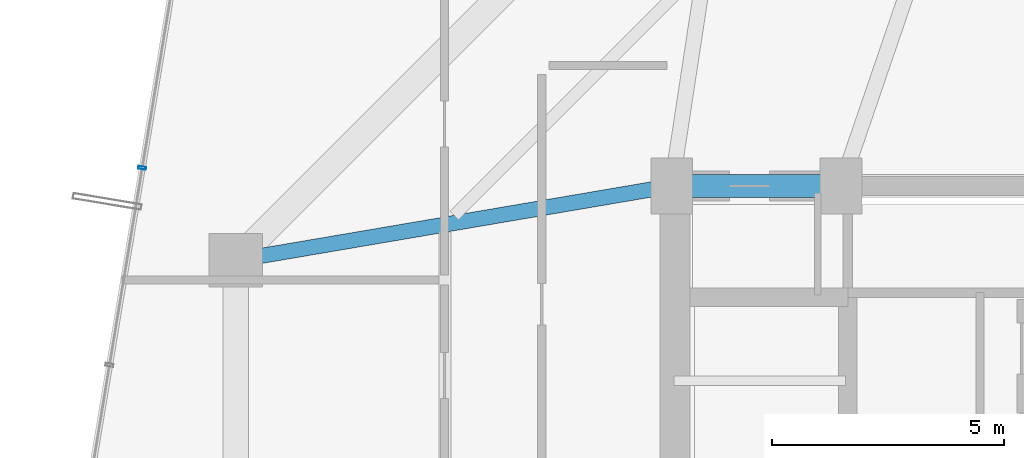
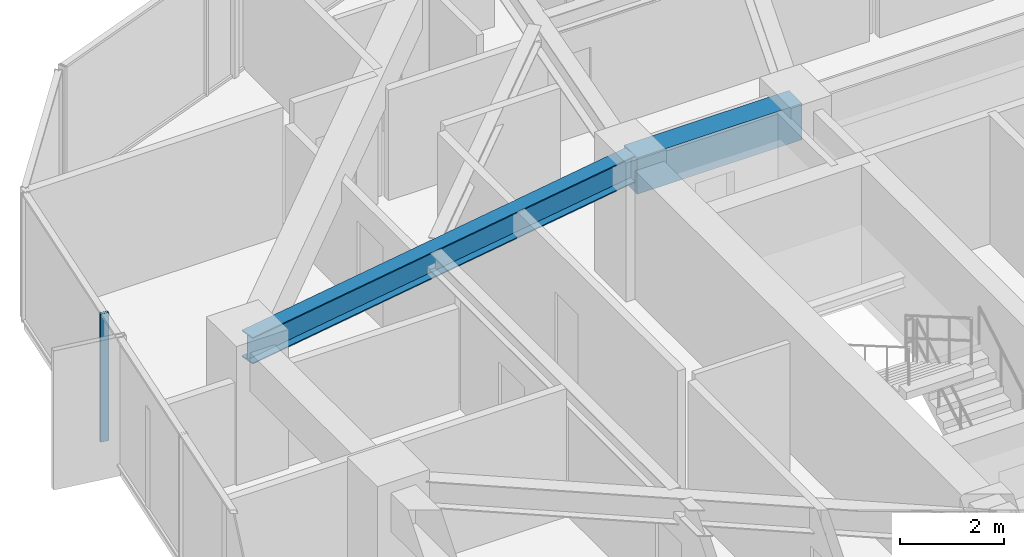
# One storey, part 14 of 30: 2 beams, 1 member, 1 element without a shape of its own.
"""IFC4 building model written with IfcOpenShell, lengths in metres."""

import ifcopenshell
import ifcopenshell.guid

model = None  # the IFC model being written
_history = None  # IfcOwnerHistory: only IFC2X3 demands one
_inside = {}  # id of a spatial element -> (the spatial element, [elements in it])
_under = {}  # id of a project, library or spatial element -> (it, [spatial elements below it])
_declared = {}  # id of a project -> (the project, [libraries it declares])
_typed = {}  # id of a type object -> (the type object, [elements of that type])
_made_of = {}  # id of a material, layer set ... -> (it, [elements and type objects made of it])


def new_model(schema):
    """Start an empty IFC model of exactly this schema.

    Asked for "IFC4X3", IfcOpenShell would pick the latest addendum, in which some entities
    have other attributes; the version numbers below select the first issue.
    IFC2X3 requires an IfcOwnerHistory on every rooted entity: one is made here for all.
    """
    global model, _history
    if schema == "IFC4X3":
        model = ifcopenshell.file(schema_version=(4, 3, 0, 0))
    else:
        model = ifcopenshell.file(schema=schema)
    _inside.clear()
    _under.clear()
    _declared.clear()
    _typed.clear()
    _made_of.clear()
    _history = None
    if model.schema == "IFC2X3":
        org = make("IfcOrganization", Name="unknown")
        user = make(
            "IfcPersonAndOrganization",
            ThePerson=make("IfcPerson", FamilyName="unknown"),
            TheOrganization=org,
        )
        app = make(
            "IfcApplication",
            ApplicationDeveloper=org,
            Version="unknown",
            ApplicationFullName="unknown",
            ApplicationIdentifier="unknown",
        )
        _history = make(
            "IfcOwnerHistory",
            OwningUser=user,
            OwningApplication=app,
            ChangeAction="ADDED",
            CreationDate=0,
        )
    return model


def make(cls, **values):
    """One entity of the class cls with the attributes given. An attribute that is None is left unset."""
    return model.create_entity(
        cls, **{name: value for name, value in values.items() if value is not None}
    )


def rooted(cls, **values):
    """An entity with a GlobalId (a new one), such as an element, a storey or a relation."""
    return make(cls, GlobalId=ifcopenshell.guid.new(), OwnerHistory=_history, **values)


def si_unit(unit_type, name, prefix=None):
    """IfcSIUnit, for example si_unit("LENGTHUNIT", "METRE", prefix="MILLI")."""
    return make("IfcSIUnit", UnitType=unit_type, Prefix=prefix, Name=name)


def assignment(units):
    """IfcUnitAssignment: the units of a project."""
    return None if units is None else make("IfcUnitAssignment", Units=units)


def point(xyz):
    """IfcCartesianPoint."""
    return None if xyz is None else make("IfcCartesianPoint", Coordinates=xyz)


def direction(xyz):
    """IfcDirection."""
    return None if xyz is None else make("IfcDirection", DirectionRatios=xyz)


def frame(location, z_axis=None, x_axis=None):
    """IfcAxis2Placement3D, a coordinate frame: its origin and axes. An axis left out is left unset."""
    return make(
        "IfcAxis2Placement3D",
        Location=point(location),
        Axis=direction(z_axis),
        RefDirection=direction(x_axis),
    )


def frame_2d(location, x_axis=None):
    """IfcAxis2Placement2D, a coordinate frame in the plane: its origin and x axis."""
    return make(
        "IfcAxis2Placement2D", Location=point(location), RefDirection=direction(x_axis)
    )


def origin():
    """The frame at (0, 0, 0) with its axes left unset."""
    return frame((0.0, 0.0, 0.0))


def origin_2d():
    """The frame at (0, 0) in the plane with its x axis left unset."""
    return frame_2d((0.0, 0.0))


def place(relative_to, where):
    """IfcLocalPlacement: puts the frame where relative to a parent placement (None: the world)."""
    return make(
        "IfcLocalPlacement", PlacementRelTo=relative_to, RelativePlacement=where
    )


def context(
    kind, dimensions, precision=None, world=None, true_north=None, identifier=None
):
    """IfcGeometricRepresentationContext, for example the 3D "Model" context."""
    return make(
        "IfcGeometricRepresentationContext",
        ContextIdentifier=identifier,
        ContextType=kind,
        CoordinateSpaceDimension=dimensions,
        Precision=precision,
        WorldCoordinateSystem=world,
        TrueNorth=true_north,
    )


def subcontext(parent, identifier, kind, view, scale=None):
    """IfcGeometricRepresentationSubContext, for example "Body" below "Model"."""
    return make(
        "IfcGeometricRepresentationSubContext",
        ContextIdentifier=identifier,
        ContextType=kind,
        ParentContext=parent,
        TargetScale=scale,
        TargetView=view,
    )


def project(units=None, contexts=None):
    """IfcProject with its units and contexts."""
    return rooted(
        "IfcProject",
        Name="project",
        RepresentationContexts=contexts,
        UnitsInContext=assignment(units),
    )


def spatial(cls, under=None, at=None, **own):
    """A site, building, storey or space (cls), placed at a placement, below another one or the project."""
    s = rooted(cls, ObjectPlacement=at, **own)
    if under is not None:
        _under.setdefault(under.id(), (under, []))[1].append(s)
    return s


def profile(cls, at=None, kind="AREA", **sizes):
    """A parametric profile (cls). Its sizes go by their IFC names, for example OverallWidth=200.0."""
    return make(cls, ProfileType=kind, Position=at, **sizes)


def rectangle(**sizes):
    """IfcRectangleProfileDef."""
    return profile("IfcRectangleProfileDef", **sizes)


def hollow_rectangle(**sizes):
    """IfcRectangleHollowProfileDef."""
    return profile("IfcRectangleHollowProfileDef", **sizes)


def i_section(**sizes):
    """IfcIShapeProfileDef."""
    return profile("IfcIShapeProfileDef", **sizes)


def extrude(swept, where, along, depth):
    """IfcExtrudedAreaSolid: the profile swept, set in the frame where, extruded along a direction by depth."""
    return make(
        "IfcExtrudedAreaSolid",
        SweptArea=swept,
        Position=where,
        ExtrudedDirection=direction(along),
        Depth=depth,
    )


def shape(context_of_items, identifier, shape_type, items):
    """IfcShapeRepresentation: the items that make up one representation, for example the "Body"."""
    return make(
        "IfcShapeRepresentation",
        ContextOfItems=context_of_items,
        RepresentationIdentifier=identifier,
        RepresentationType=shape_type,
        Items=items,
    )


def source(mapping_origin, context_of_items, identifier, shape_type, items):
    """IfcRepresentationMap: a shape defined once, which mapped items show again and again."""
    return make(
        "IfcRepresentationMap",
        MappingOrigin=mapping_origin,
        MappedRepresentation=shape(context_of_items, identifier, shape_type, items),
    )


def transform(
    local_origin,
    x_axis=None,
    y_axis=None,
    z_axis=None,
    scale=None,
    scale2=None,
    scale3=None,
    uniform=True,
):
    """IfcCartesianTransformationOperator3D, or its non-uniform kind. x_axis, y_axis, z_axis: its Axis1, 2, 3."""
    if uniform:
        return make(
            "IfcCartesianTransformationOperator3D",
            Axis1=direction(x_axis),
            Axis2=direction(y_axis),
            LocalOrigin=point(local_origin),
            Scale=scale,
            Axis3=direction(z_axis),
        )
    return make(
        "IfcCartesianTransformationOperator3DnonUniform",
        Axis1=direction(x_axis),
        Axis2=direction(y_axis),
        LocalOrigin=point(local_origin),
        Scale=scale,
        Axis3=direction(z_axis),
        Scale2=scale2,
        Scale3=scale3,
    )


def mapped(mapping_source, mapping_target):
    """IfcMappedItem: shows the shape of a source again, moved by a transform."""
    return make(
        "IfcMappedItem", MappingSource=mapping_source, MappingTarget=mapping_target
    )


def material(Name=None, Category=None):
    """IfcMaterial."""
    return make("IfcMaterial", Name=Name, Category=Category)


def layer(
    of_material, thickness, ventilated=None, Name=None, Category=None, Priority=None
):
    """IfcMaterialLayer: one layer of a wall or slab, of a material (None: an air gap)."""
    return make(
        "IfcMaterialLayer",
        Material=of_material,
        LayerThickness=thickness,
        IsVentilated=ventilated,
        Name=Name,
        Category=Category,
        Priority=Priority,
    )


def layer_set(layers, Name=None):
    """IfcMaterialLayerSet."""
    return make("IfcMaterialLayerSet", MaterialLayers=layers, LayerSetName=Name)


def material_profile(
    of_material, cross_section, Name=None, Category=None, Priority=None
):
    """IfcMaterialProfile: a cross section and its material."""
    return make(
        "IfcMaterialProfile",
        Name=Name,
        Material=of_material,
        Profile=cross_section,
        Priority=Priority,
        Category=Category,
    )


def profile_set(profiles, Name=None, composite=None):
    """IfcMaterialProfileSet."""
    return make(
        "IfcMaterialProfileSet",
        Name=Name,
        MaterialProfiles=profiles,
        CompositeProfile=composite,
    )


def made_of(thing, what):
    """Note that an element or type object is made of a material, layer set ...; save() writes the relation."""
    if what is not None:
        _made_of.setdefault(what.id(), (what, []))[1].append(thing)
    return thing


def type_object(cls, material=None, **own):
    """A type object (cls), such as IfcWallType, which elements share."""
    return made_of(rooted(cls, **own), material)


def element(
    cls,
    number,
    at=None,
    inside=None,
    cuts=None,
    type_object=None,
    material=None,
    context=None,
    identifier="Body",
    shape_type=None,
    held_by="IfcProductDefinitionShape",
    body=None,
    shapes=None,
    **own,
):
    """One element of the class cls, such as IfcWall. Its Tag is "e" and its number.

    at: its placement. inside: the storey or other place that contains it. cuts: it is an
    opening in that element (IfcRelVoidsElement). A single representation is given by context,
    identifier, shape_type and body (its items); several are given by shapes. held_by: the class
    of the entity that holds the representations. save() writes the other relations.
    """
    e = rooted(cls, Tag="e%d" % number, ObjectPlacement=at, **own)
    if body is not None:
        shapes = [shape(context, identifier, shape_type, body)]
    if shapes is not None:
        e.Representation = make(held_by, Representations=shapes)
    if inside is not None:
        _inside.setdefault(inside.id(), (inside, []))[1].append(e)
    if cuts is not None:
        rooted(
            "IfcRelVoidsElement", RelatingBuildingElement=cuts, RelatedOpeningElement=e
        )
    if type_object is not None:
        _typed.setdefault(type_object.id(), (type_object, []))[1].append(e)
    return made_of(e, material)


def aggregate(whole, parts):
    """IfcRelAggregates: a whole, such as a stair, and the parts it consists of."""
    return rooted("IfcRelAggregates", RelatingObject=whole, RelatedObjects=parts)


def save(model, path):
    """Write the relations noted so far, then the file.

    IfcRelAggregates (storeys below a building ...), IfcRelContainedInSpatialStructure (elements
    in a storey), IfcRelDefinesByType, IfcRelAssociatesMaterial and IfcRelDeclares: one each for
    every whole, place, type object, material and project.
    """
    for whole, parts in _under.values():
        aggregate(whole, parts)
    for where, things in _inside.values():
        rooted(
            "IfcRelContainedInSpatialStructure",
            RelatedElements=things,
            RelatingStructure=where,
        )
    for kind, things in _typed.values():
        rooted("IfcRelDefinesByType", RelatedObjects=things, RelatingType=kind)
    for what, things in _made_of.values():
        rooted("IfcRelAssociatesMaterial", RelatedObjects=things, RelatingMaterial=what)
    for by, libraries in _declared.values():
        rooted("IfcRelDeclares", RelatingContext=by, RelatedDefinitions=libraries)
    model.write(path)


model = new_model("IFC4")

# Units and contexts
model_context = context("Model", 3, precision=1e-05, world=origin(), true_north=direction((0.0, 1.0)))
body_context = subcontext(model_context, "Body", "Model", "MODEL_VIEW")
ifc_project = project(units=[si_unit("LENGTHUNIT", "METRE"), si_unit("AREAUNIT", "SQUARE_METRE"), si_unit("VOLUMEUNIT", "CUBIC_METRE"), si_unit("PLANEANGLEUNIT", "RADIAN"), si_unit("MASSUNIT", "GRAM", prefix="KILO")], contexts=[model_context])

# Site, building, storey
site_placement = place(None, origin())
site = spatial("IfcSite", under=ifc_project, at=site_placement, CompositionType="ELEMENT")
building_placement = place(site_placement, origin())
building = spatial("IfcBuilding", under=site, at=building_placement, Name="Veraguas Prism Commons", CompositionType="ELEMENT")
storey_placement = place(building_placement, frame((0.0, 0.0, 95.949951171875)))
storey = spatial("IfcBuildingStorey", under=building, at=storey_placement, Name="L26", CompositionType="ELEMENT", Elevation=95.949951171875)

# Beams
ifc_material_1 = material(Name="Concrete C50/60", Category="concrete")
ifc_material_profile_1 = material_profile(ifc_material_1, rectangle(XDim=0.5, YDim=0.85009765625, at=origin_2d()), Name="RC500X850")
ifc_profile_set_1 = profile_set([ifc_material_profile_1], Name="Concrete C50/60")
beam_type_1 = type_object("IfcBeamType", Name="Core Coupling Beam RC 500x850", PredefinedType="BEAM", material=ifc_profile_set_1)
beam_1_placement = place(storey_placement, frame((17.199951171875, 31.0, 2.574951171875), z_axis=(1.0, 0.0, 0.0), x_axis=(0.0, 1.0, 0.0)))
element("IfcBeam", 1, at=beam_1_placement, inside=storey, type_object=beam_type_1, Name="Core Coupling Beam L26-CRN1", PredefinedType="BEAM", context=body_context, shape_type="SweptSolid", body=[
    extrude(rectangle(XDim=0.5, YDim=0.85009765625, at=origin_2d()), origin(), (0.0, 0.0, 1.0), 3.650146484375),
])
ifc_material_2 = material(Name="Steel ASTM A992 Grade 50", Category="steel")
ifc_material_profile_2 = material_profile(ifc_material_2, i_section(OverallWidth=0.327880859375, OverallDepth=0.6220703125, WebThickness=0.015380859375, FlangeThickness=0.0244140625, at=origin_2d()), Name="W610X195")
ifc_profile_set_2 = profile_set([ifc_material_profile_2], Name="Steel ASTM A992 Grade 50")
beam_type_2 = type_object("IfcBeamType", Name="Zone 2 Radial Girder W610x195", PredefinedType="BEAM", material=ifc_profile_set_2)
beam_2_placement = place(storey_placement, frame((7.800048828125, 29.39990234375, 2.68896484375), z_axis=(0.985819187151, 0.1678109956, 0.0), x_axis=(-0.1678109956, 0.985819187151, 0.0)))
element("IfcBeam", 2, at=beam_2_placement, inside=storey, type_object=beam_type_2, Name="Radial Floor Girder L26-RD07", PredefinedType="BEAM", context=body_context, shape_type="SweptSolid", body=[
    extrude(i_section(OverallWidth=0.327880859375, OverallDepth=0.6220703125, WebThickness=0.015380859375, FlangeThickness=0.0244140625, at=origin_2d()), origin(), (0.0, 0.0, 1.0), 9.53515625),
])

# Curtain wall, member
ifc_material_3 = material(Name="Anodised aluminium EN AW-6063 T6", Category="aluminium")
ifc_layer = layer(ifc_material_3, 0.169921875, Name="Unitised Flush Curtain Wall Zone 2", Category="aluminium")
ifc_layer_set = layer_set([ifc_layer], Name="Anodised aluminium EN AW-6063 T6")
curtain_wall_type = type_object("IfcCurtainWallType", Name="Unitised Flush Curtain Wall Zone 2", PredefinedType="NOTDEFINED", material=ifc_layer_set)
curtain_wall_placement = place(storey_placement, origin())
curtain_wall = element("IfcCurtainWall", 3, at=curtain_wall_placement, inside=storey, type_object=curtain_wall_type, Name="Tower Facade Curtain Wall L26-F3", PredefinedType="NOTDEFINED")
ifc_material_profile_3 = material_profile(ifc_material_3, hollow_rectangle(XDim=0.06005859375, YDim=0.169921875, WallThickness=0.00390625, at=origin_2d()), Name="AL60X170X4")
ifc_profile_set_3 = profile_set([ifc_material_profile_3], Name="Anodised aluminium EN AW-6063 T6")
member_type = type_object("IfcMemberType", Name="Curtain Wall Mullion Lower AL 60x170x4", PredefinedType="MULLION", material=ifc_profile_set_3)
shared_shape = source(origin(), body_context, "Body", "SweptSolid", [
    extrude(hollow_rectangle(XDim=0.06005859375, YDim=0.169921875, WallThickness=0.00390625, at=origin_2d()), origin(), (0.0, 0.0, 1.0), 3.0),
])
member_placement = place(storey_placement, frame((5.781494140625, 31.39013671875, 0.0), z_axis=(0.0, 0.0, 1.0), x_axis=(-0.163672052728, -0.986514804327, 0.0)))
member = element("IfcMember", 4, at=member_placement, type_object=member_type, Name="CW-Z2 Mullion 2", PredefinedType="MULLION", context=body_context, shape_type="MappedRepresentation", body=[
    mapped(shared_shape, transform((0.0, 0.0, 0.0), scale=1.0)),
])
aggregate(curtain_wall, [member])

save(model, "model.ifc")
